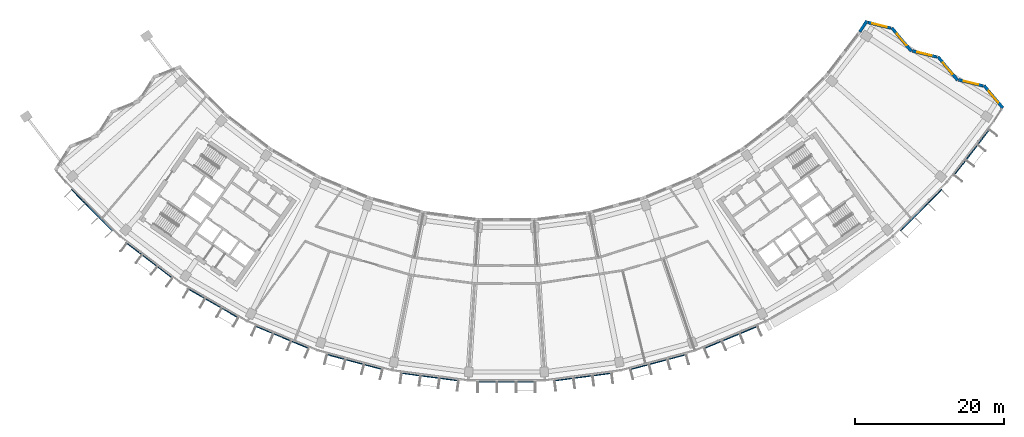
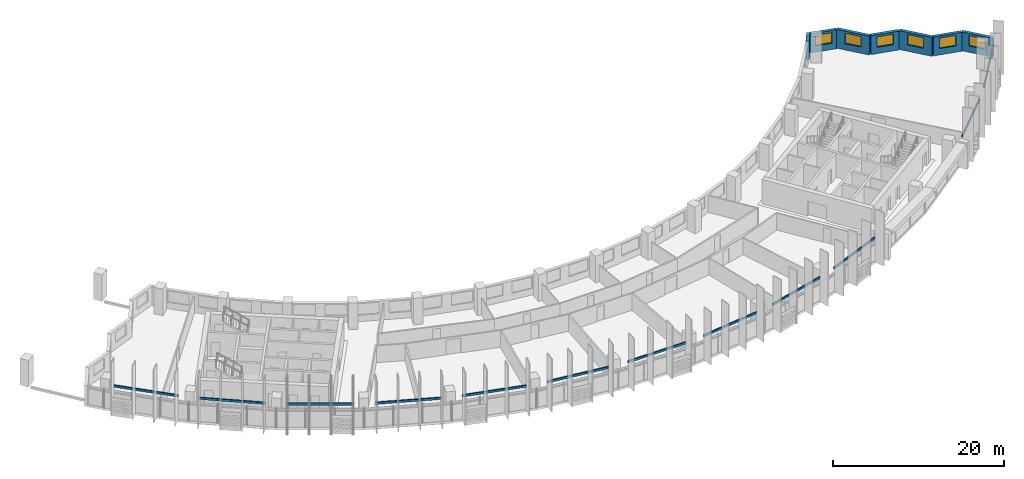
# One storey, part 8 of 27: 12 discrete accessories, 7 walls, 6 windows, 6 openings.
"""IFC4 building model written with IfcOpenShell, lengths in metres."""

from ifc_helpers import new_model, si_unit, direction, frame, frame_2d, origin, origin_2d, place, context, subcontext, project, spatial, rectangle, extrude, material, layer, layer_set, type_object, element, fill, save


model = new_model("IFC4")

# Units and contexts
model_context = context("Model", 3, precision=1e-05, world=origin(), true_north=direction((0.0, 1.0)))
body_context = subcontext(model_context, "Body", "Model", "MODEL_VIEW")
ifc_project = project(units=[si_unit("LENGTHUNIT", "METRE"), si_unit("AREAUNIT", "SQUARE_METRE"), si_unit("VOLUMEUNIT", "CUBIC_METRE"), si_unit("PLANEANGLEUNIT", "RADIAN"), si_unit("MASSUNIT", "GRAM", prefix="KILO")], contexts=[model_context])

# Site, building, storey
site_placement = place(None, origin())
site = spatial("IfcSite", under=ifc_project, at=site_placement, CompositionType="ELEMENT")
building_placement = place(site_placement, origin())
building = spatial("IfcBuilding", under=site, at=building_placement, Name="Qamariyya Broadcast Tower", CompositionType="ELEMENT")
storey_placement = place(building_placement, frame((0.0, 0.0, 164.5)))
storey = spatial("IfcBuildingStorey", under=building, at=storey_placement, Name="L38", CompositionType="ELEMENT", Elevation=164.5)

# Wall, opening, window
ifc_material_1 = material(Name="Terracotta", Category="masonry")
ifc_layer = layer(ifc_material_1, 0.39990234375)
ifc_layer_set = layer_set([ifc_layer], Name="Terracotta clad wall 400")
wall_type = type_object("IfcWallType", Name="Terracotta clad wall 400", PredefinedType="SOLIDWALL", material=ifc_layer_set)
wall_1_placement = place(storey_placement, frame((66.809814453125, -42.043701171875, 0.0), z_axis=(0.0, 0.0, 1.0), x_axis=(-0.641188134639, 0.767383721484, 0.0)))
wall_1 = element("IfcWall", 1, at=wall_1_placement, inside=storey, type_object=wall_type, Name="e-wl-L38-capE0", PredefinedType="SOLIDWALL", context=body_context, shape_type="SweptSolid", body=[
    extrude(rectangle(XDim=3.92138671875, YDim=0.39990234375, at=frame_2d((1.960693359375, 0.0))), origin(), (0.0, 0.0, 1.0), 2.699951171875),
])
opening_1_placement = place(wall_1_placement, frame((0.9609375, 0.0, 0.89990234375)))
opening_1 = element("IfcOpeningElement", 2, at=opening_1_placement, cuts=wall_1, Name="Opening W4", PredefinedType="OPENING", context=body_context, shape_type="SweptSolid", body=[
    extrude(rectangle(XDim=2.0, YDim=1.5, at=frame_2d((1.0, 0.75))), frame((0.0, 0.2099609375, 0.0), z_axis=(0.0, -1.0, 0.0), x_axis=(1.0, 0.0, 0.0)), (0.0, 0.0, 1.0), 0.419921875),
])
ifc_material_2 = material(Name="Clear low-e double glazed unit in aluminium frame", Category="aluminium")
window_type = type_object("IfcWindowType", Name="Horn bay window 2000 x 1500", PartitioningType="SINGLE_PANEL", PredefinedType="WINDOW", material=ifc_material_2)
window_1_placement = place(opening_1_placement, origin())
window_1 = element("IfcWindow", 3, at=window_1_placement, inside=storey, type_object=window_type, Name="e-w-L38-capE0", OverallHeight=1.5, OverallWidth=2.0, PartitioningType="SINGLE_PANEL", PredefinedType="WINDOW", context=body_context, shape_type="SweptSolid", body=[
    extrude(rectangle(XDim=2.0, YDim=1.5, at=frame_2d((1.0, 0.75))), frame((0.0, 0.030029296875, 0.0), z_axis=(0.0, -1.0, 0.0), x_axis=(1.0, 0.0, 0.0)), (0.0, 0.0, 1.0), 0.06005859375),
])
fill(opening_1, window_1)

wall_2_placement = place(storey_placement, frame((64.163818359375, -39.074951171875, 0.0), z_axis=(0.0, 0.0, 1.0), x_axis=(-0.970798296139, 0.239897203429, 0.0)))
wall_2 = element("IfcWall", 4, at=wall_2_placement, inside=storey, type_object=wall_type, Name="e-wl-L38-capE1", PredefinedType="SOLIDWALL", context=body_context, shape_type="SweptSolid", body=[
    extrude(rectangle(XDim=3.41943359375, YDim=0.39990234375, at=frame_2d((1.709716796875, 0.0))), origin(), (0.0, 0.0, 1.0), 2.699951171875),
])
opening_2_placement = place(wall_2_placement, frame((0.709716796875, 0.0, 0.89990234375)))
opening_2 = element("IfcOpeningElement", 5, at=opening_2_placement, cuts=wall_2, Name="Opening W4", PredefinedType="OPENING", context=body_context, shape_type="SweptSolid", body=[
    extrude(rectangle(XDim=2.0, YDim=1.5, at=frame_2d((1.0, 0.75))), frame((0.0, 0.2099609375, 0.0), z_axis=(0.0, -1.0, 0.0), x_axis=(1.0, 0.0, 0.0)), (0.0, 0.0, 1.0), 0.419921875),
])
window_2_placement = place(opening_2_placement, origin())
window_2 = element("IfcWindow", 6, at=window_2_placement, inside=storey, type_object=window_type, Name="e-w-L38-capE1", OverallHeight=1.5, OverallWidth=2.0, PartitioningType="SINGLE_PANEL", PredefinedType="WINDOW", context=body_context, shape_type="SweptSolid", body=[
    extrude(rectangle(XDim=2.0, YDim=1.5, at=frame_2d((1.0, 0.75))), frame((0.0, 0.030029296875, 0.0), z_axis=(0.0, -1.0, 0.0), x_axis=(1.0, 0.0, 0.0)), (0.0, 0.0, 1.0), 0.06005859375),
])
fill(opening_2, window_2)

wall_3_placement = place(storey_placement, frame((60.712646484375, -38.295166015625, 0.0), z_axis=(0.0, 0.0, 1.0), x_axis=(-0.64120098536, 0.76737298387, 0.0)))
wall_3 = element("IfcWall", 7, at=wall_3_placement, inside=storey, type_object=wall_type, Name="e-wl-L38-capE2", PredefinedType="SOLIDWALL", context=body_context, shape_type="SweptSolid", body=[
    extrude(rectangle(XDim=4.10791015625, YDim=0.39990234375, at=frame_2d((2.053955078125, 0.0))), origin(), (0.0, 0.0, 1.0), 2.699951171875),
])
opening_3_placement = place(wall_3_placement, frame((1.053955078125, 0.0, 0.89990234375)))
opening_3 = element("IfcOpeningElement", 8, at=opening_3_placement, cuts=wall_3, Name="Opening W4", PredefinedType="OPENING", context=body_context, shape_type="SweptSolid", body=[
    extrude(rectangle(XDim=2.0, YDim=1.5, at=frame_2d((1.0, 0.75))), frame((0.0, 0.2099609375, 0.0), z_axis=(0.0, -1.0, 0.0), x_axis=(1.0, 0.0, 0.0)), (0.0, 0.0, 1.0), 0.419921875),
])
window_3_placement = place(opening_3_placement, origin())
window_3 = element("IfcWindow", 9, at=window_3_placement, inside=storey, type_object=window_type, Name="e-w-L38-capE2", OverallHeight=1.5, OverallWidth=2.0, PartitioningType="SINGLE_PANEL", PredefinedType="WINDOW", context=body_context, shape_type="SweptSolid", body=[
    extrude(rectangle(XDim=2.0, YDim=1.5, at=frame_2d((1.0, 0.75))), frame((0.0, 0.030029296875, 0.0), z_axis=(0.0, -1.0, 0.0), x_axis=(1.0, 0.0, 0.0)), (0.0, 0.0, 1.0), 0.06005859375),
])
fill(opening_3, window_3)

wall_4_placement = place(storey_placement, frame((57.947021484375, -35.18359375, 0.0), z_axis=(0.0, 0.0, 1.0), x_axis=(-0.970819226516, 0.239812488056, 0.0)))
wall_4 = element("IfcWall", 10, at=wall_4_placement, inside=storey, type_object=wall_type, Name="e-wl-L38-capE3", PredefinedType="SOLIDWALL", context=body_context, shape_type="SweptSolid", body=[
    extrude(rectangle(XDim=3.418701171875, YDim=0.39990234375, at=frame_2d((1.70947265625, 0.0))), origin(), (0.0, 0.0, 1.0), 2.699951171875),
])
opening_4_placement = place(wall_4_placement, frame((0.709228515625, 0.0, 0.89990234375)))
opening_4 = element("IfcOpeningElement", 11, at=opening_4_placement, cuts=wall_4, Name="Opening W4", PredefinedType="OPENING", context=body_context, shape_type="SweptSolid", body=[
    extrude(rectangle(XDim=2.0, YDim=1.5, at=frame_2d((1.0, 0.75))), frame((0.0, 0.2099609375, 0.0), z_axis=(0.0, -1.0, 0.0), x_axis=(1.0, 0.0, 0.0)), (0.0, 0.0, 1.0), 0.419921875),
])
window_4_placement = place(opening_4_placement, origin())
window_4 = element("IfcWindow", 12, at=window_4_placement, inside=storey, type_object=window_type, Name="e-w-L38-capE3", OverallHeight=1.5, OverallWidth=2.0, PartitioningType="SINGLE_PANEL", PredefinedType="WINDOW", context=body_context, shape_type="SweptSolid", body=[
    extrude(rectangle(XDim=2.0, YDim=1.5, at=frame_2d((1.0, 0.75))), frame((0.0, 0.030029296875, 0.0), z_axis=(0.0, -1.0, 0.0), x_axis=(1.0, 0.0, 0.0)), (0.0, 0.0, 1.0), 0.06005859375),
])
fill(opening_4, window_4)

wall_5_placement = place(storey_placement, frame((54.496826171875, -34.404296875, 0.0), z_axis=(0.0, 0.0, 1.0), x_axis=(-0.64135241921, 0.7672464235, 0.0)))
wall_5 = element("IfcWall", 13, at=wall_5_placement, inside=storey, type_object=wall_type, Name="e-wl-L38-capE4", PredefinedType="SOLIDWALL", context=body_context, shape_type="SweptSolid", body=[
    extrude(rectangle(XDim=4.109375, YDim=0.39990234375, at=frame_2d((2.0546875, 0.0))), origin(), (0.0, 0.0, 1.0), 2.699951171875),
])
opening_5_placement = place(wall_5_placement, frame((1.0546875, 0.0, 0.89990234375)))
opening_5 = element("IfcOpeningElement", 14, at=opening_5_placement, cuts=wall_5, Name="Opening W4", PredefinedType="OPENING", context=body_context, shape_type="SweptSolid", body=[
    extrude(rectangle(XDim=2.0, YDim=1.5, at=frame_2d((1.0, 0.75))), frame((0.0, 0.2099609375, 0.0), z_axis=(0.0, -1.0, 0.0), x_axis=(1.0, 0.0, 0.0)), (0.0, 0.0, 1.0), 0.419921875),
])
window_5_placement = place(opening_5_placement, origin())
window_5 = element("IfcWindow", 15, at=window_5_placement, inside=storey, type_object=window_type, Name="e-w-L38-capE4", OverallHeight=1.5, OverallWidth=2.0, PartitioningType="SINGLE_PANEL", PredefinedType="WINDOW", context=body_context, shape_type="SweptSolid", body=[
    extrude(rectangle(XDim=2.0, YDim=1.5, at=frame_2d((1.0, 0.75))), frame((0.0, 0.030029296875, 0.0), z_axis=(0.0, -1.0, 0.0), x_axis=(1.0, 0.0, 0.0)), (0.0, 0.0, 1.0), 0.06005859375),
])
fill(opening_5, window_5)

wall_6_placement = place(storey_placement, frame((51.72998046875, -31.2919921875, 0.0), z_axis=(0.0, 0.0, 1.0), x_axis=(-0.970839906684, 0.239728754198, 0.0)))
wall_6 = element("IfcWall", 16, at=wall_6_placement, inside=storey, type_object=wall_type, Name="e-wl-L38-capE5", PredefinedType="SOLIDWALL", context=body_context, shape_type="SweptSolid", body=[
    extrude(rectangle(XDim=3.17333984375, YDim=0.39990234375, at=frame_2d((1.586669921875, 0.0))), origin(), (0.0, 0.0, 1.0), 2.699951171875),
])
opening_6_placement = place(wall_6_placement, frame((0.586669921875, 0.0, 0.89990234375)))
opening_6 = element("IfcOpeningElement", 17, at=opening_6_placement, cuts=wall_6, Name="Opening W4", PredefinedType="OPENING", context=body_context, shape_type="SweptSolid", body=[
    extrude(rectangle(XDim=2.0, YDim=1.5, at=frame_2d((1.0, 0.75))), frame((0.0, 0.2099609375, 0.0), z_axis=(0.0, -1.0, 0.0), x_axis=(1.0, 0.0, 0.0)), (0.0, 0.0, 1.0), 0.419921875),
])
window_6_placement = place(opening_6_placement, origin())
window_6 = element("IfcWindow", 18, at=window_6_placement, inside=storey, type_object=window_type, Name="e-w-L38-capE5", OverallHeight=1.5, OverallWidth=2.0, PartitioningType="SINGLE_PANEL", PredefinedType="WINDOW", context=body_context, shape_type="SweptSolid", body=[
    extrude(rectangle(XDim=2.0, YDim=1.5, at=frame_2d((1.0, 0.75))), frame((0.0, 0.030029296875, 0.0), z_axis=(0.0, -1.0, 0.0), x_axis=(1.0, 0.0, 0.0)), (0.0, 0.0, 1.0), 0.06005859375),
])
fill(opening_6, window_6)

# Wall
wall_7_placement = place(storey_placement, frame((48.509033203125, -30.311767578125, 0.0), z_axis=(0.0, 0.0, 1.0), x_axis=(-0.543234092636, -0.839581276946, 0.0)))
element("IfcWall", 19, at=wall_7_placement, inside=storey, type_object=wall_type, Name="e-wl-L38-in150", PredefinedType="SOLIDWALL", context=body_context, shape_type="SweptSolid", body=[
    extrude(rectangle(XDim=1.76708984375, YDim=0.39990234375, at=frame_2d((0.883544921875, 0.0))), origin(), (0.0, 0.0, 1.0), 2.699951171875),
])

# Discrete accessories
ifc_material_3 = material(Name="Stainless steel 316", Category="steel")
discrete_accessory_type = type_object("IfcDiscreteAccessoryType", Name="Slab edge fixing angle, stainless steel", PredefinedType="BRACKET", material=ifc_material_3)
for number, where, z_axis, x_axis, name in (
    (20, (-55.794921875, -55.794921875, 3.2998046875), (0.0, 0.0, 1.0), (0.707106781187, -0.707106781187, 0.0), "e-br-L38-01-0"),
    (21, (-48.034912109375, -62.600341796875, 3.2998046875), (0.0, 0.0, 1.0), (0.793353340291, -0.608761429009, 0.0), "e-br-L38-02-0"),
    (22, (-39.452880859375, -68.33447265625, 3.2998046875), (0.0, 0.0, 1.0), (0.866025403784, -0.5, 0.0), "e-br-L38-03-0"),
    (23, (-30.196044921875, -72.8994140625, 3.2998046875), (0.0, 0.0, 1.0), (0.923879532511, -0.382683432365, 0.0), "e-br-L38-04-0"),
    (24, (-20.42236328125, -76.21728515625, 3.2998046875), (0.0, 0.0, 1.0), (0.965925826289, -0.258819045103, 0.0), "e-br-L38-05-0"),
    (25, (-10.29931640625, -78.230712890625, 3.2998046875), (0.0, 0.0, 1.0), (0.991444861374, -0.13052619222, 0.0), "e-br-L38-06-0"),
    (26, (0.0, -78.90576171875, 3.2998046875), (0.0, 0.0, 1.0), (1.0, 0.0, 0.0), "e-br-L38-07-0"),
    (27, (10.29931640625, -78.230712890625, 3.2998046875), (0.0, 0.0, 1.0), (0.991444861374, 0.13052619222, 0.0), "e-br-L38-08-0"),
    (28, (20.42236328125, -76.21728515625, 3.2998046875), (0.0, 0.0, 1.0), (0.965925826289, 0.258819045103, 0.0), "e-br-L38-09-0"),
    (29, (30.196044921875, -72.8994140625, 3.2998046875), (0.0, 0.0, 1.0), (0.923879532511, 0.382683432365, 0.0), "e-br-L38-10-0"),
    (30, (55.794921875, -55.794921875, 3.2998046875), (0.0, 0.0, 1.0), (0.707106781187, 0.707106781187, 0.0), "e-br-L38-13-0"),
    (31, (62.600341796875, -48.034912109375, 3.2998046875), (0.0, 0.0, 1.0), (0.608761429009, 0.793353340291, 0.0), "e-br-L38-14-0"),
):
    element("IfcDiscreteAccessory", number, at=place(storey_placement, frame(where, z_axis=z_axis, x_axis=x_axis)), inside=storey, type_object=discrete_accessory_type, Name=name, PredefinedType="BRACKET", context=body_context, shape_type="SweptSolid", body=[
        extrude(rectangle(XDim=7.850341796875, YDim=0.14990234375, at=origin_2d()), origin(), (0.0, 0.0, 1.0), 0.300048828125),
    ])

save(model, "model.ifc")
